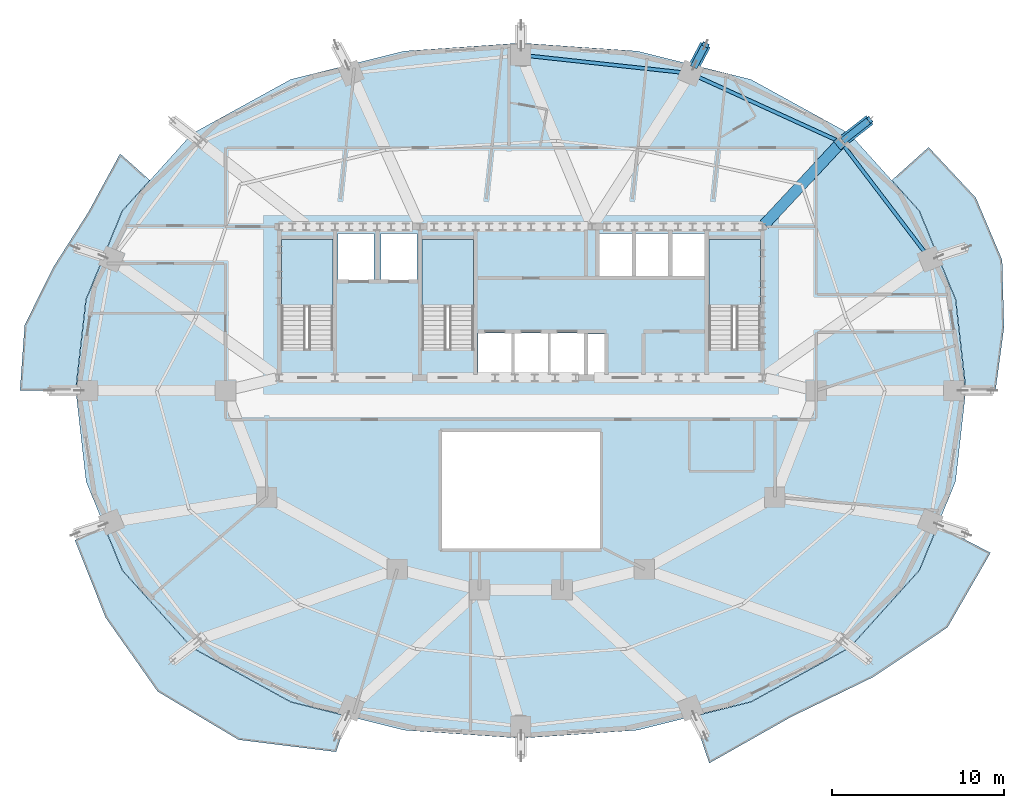
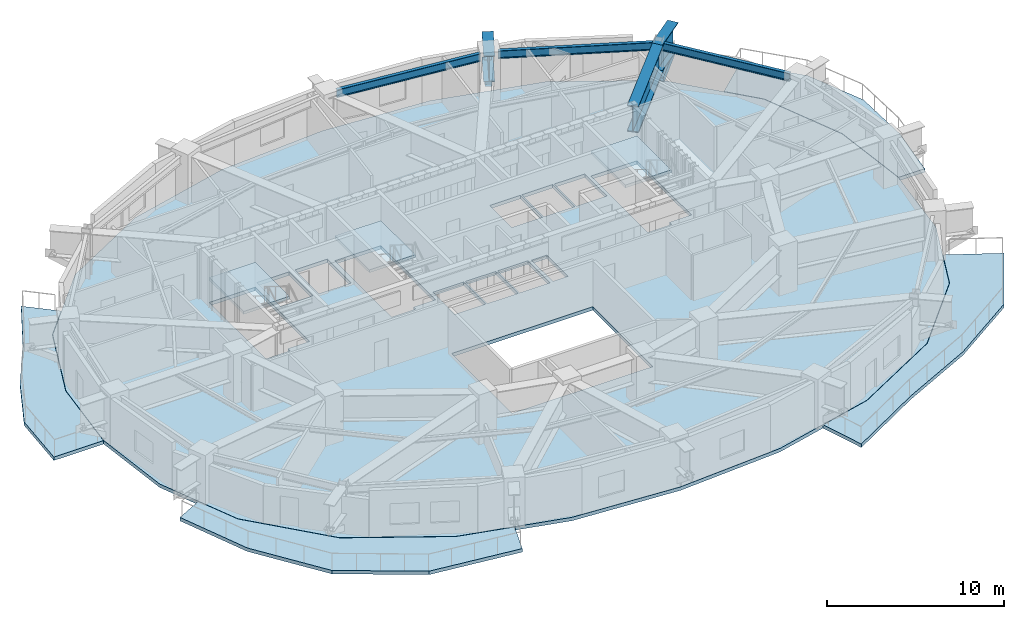
# One storey, part 3 of 14: 8 slabs, 6 beams, 2 members, 3 elements without a shape of their own.
"""IFC4 building model written with IfcOpenShell, lengths in metres."""

from ifc_helpers import new_model, si_unit, direction, frame, origin, origin_2d, place, context, subcontext, project, spatial, polyline, hollow_rectangle, i_section, outline, extrude, material, layer, layer_set, material_profile, profile_set, type_object, element, aggregate, save


model = new_model("IFC4")

# Units and contexts
model_context = context("Model", 3, precision=1e-05, world=origin(), true_north=direction((0.0, 1.0)))
body_context = subcontext(model_context, "Body", "Model", "MODEL_VIEW")
ifc_project = project(units=[si_unit("LENGTHUNIT", "METRE"), si_unit("AREAUNIT", "SQUARE_METRE"), si_unit("VOLUMEUNIT", "CUBIC_METRE"), si_unit("PLANEANGLEUNIT", "RADIAN"), si_unit("MASSUNIT", "GRAM", prefix="KILO")], contexts=[model_context])

# Site, building, storey
site_placement = place(None, origin())
site = spatial("IfcSite", under=ifc_project, at=site_placement, CompositionType="ELEMENT")
building_placement = place(site_placement, origin())
building = spatial("IfcBuilding", under=site, at=building_placement, Name="Haldorwick Loom Tower", CompositionType="ELEMENT")
storey_placement = place(building_placement, frame((0.0, 0.0, 182.050048828125)))
storey = spatial("IfcBuildingStorey", under=building, at=storey_placement, Name="L49", CompositionType="ELEMENT", Elevation=182.050048828125)

# Beams
ifc_material_1 = material(Name="Steel CSA G40.21 350W", Category="steel")
ifc_material_profile_1 = material_profile(ifc_material_1, i_section(OverallWidth=0.2119140625, OverallDepth=0.5439453125, WebThickness=0.01318359375, FlangeThickness=0.021240234375, at=origin_2d()), Name="W530X123", Category="steel")
ifc_profile_set_1 = profile_set([ifc_material_profile_1], Name="Steel CSA G40.21 350W")
beam_type_1 = type_object("IfcBeamType", Name="STR-BM-SP530", PredefinedType="SPANDREL", material=ifc_profile_set_1)
beam_1_placement = place(storey_placement, frame((59.521240234375, 34.067626953125, 2.89794921875), z_axis=(-0.605421569293, 0.79590497136, 0.0), x_axis=(-0.79590497136, -0.605421569293, 0.0)))
element("IfcBeam", 1, at=beam_1_placement, inside=storey, type_object=beam_type_1, Name="L49 Perimeter Spandrel 2", PredefinedType="SPANDREL", context=body_context, shape_type="SweptSolid", body=[
    extrude(i_section(OverallWidth=0.2119140625, OverallDepth=0.5439453125, WebThickness=0.01318359375, FlangeThickness=0.021240234375, at=origin_2d()), origin(), (0.0, 0.0, 1.0), 7.81201171875),
])
beam_2_placement = place(storey_placement, frame((54.450927734375, 40.5576171875, 2.89794921875), z_axis=(-0.909523899848, 0.415651627695, 0.0), x_axis=(-0.415651627695, -0.909523899848, 0.0)))
element("IfcBeam", 2, at=beam_2_placement, inside=storey, type_object=beam_type_1, Name="L49 Perimeter Spandrel 3", PredefinedType="SPANDREL", context=body_context, shape_type="SweptSolid", body=[
    extrude(i_section(OverallWidth=0.2119140625, OverallDepth=0.5439453125, WebThickness=0.01318359375, FlangeThickness=0.021240234375, at=origin_2d()), origin(), (0.0, 0.0, 1.0), 8.910888671875),
])
beam_3_placement = place(storey_placement, frame((45.356201171875, 44.533447265625, 2.89794921875), z_axis=(-0.994210140187, 0.107453232386, 0.0), x_axis=(-0.107453232386, -0.994210140187, 0.0)))
element("IfcBeam", 3, at=beam_3_placement, inside=storey, type_object=beam_type_1, Name="L49 Perimeter Spandrel 4", PredefinedType="SPANDREL", context=body_context, shape_type="SweptSolid", body=[
    extrude(i_section(OverallWidth=0.2119140625, OverallDepth=0.5439453125, WebThickness=0.01318359375, FlangeThickness=0.021240234375, at=origin_2d()), origin(), (0.0, 0.0, 1.0), 8.890625),
])
ifc_material_2 = material(Name="Steel CSA G40.21 350WT", Category="steel")
ifc_material_profile_2 = material_profile(ifc_material_2, i_section(OverallWidth=0.64990234375, OverallDepth=1.800048828125, WebThickness=0.02587890625, FlangeThickness=0.048095703125, at=origin_2d()), Name="WWF1800X650", Category="steel")
ifc_profile_set_2 = profile_set([ifc_material_profile_2], Name="Steel CSA G40.21 350WT")
beam_type_2 = type_object("IfcBeamType", Name="STR-BM-TG1800", PredefinedType="BEAM", material=ifc_profile_set_2)
beam_4_placement = place(storey_placement, frame((50.19140625, 35.68017578125, 2.27001953125), z_axis=(0.682245130121, 0.731123506958, 0.0), x_axis=(-0.731123506958, 0.682245130121, 0.0)))
element("IfcBeam", 4, at=beam_4_placement, inside=storey, type_object=beam_type_2, Name="L49 Waist Flare Inner Transfer Girder 3", PredefinedType="BEAM", context=body_context, shape_type="SweptSolid", body=[
    extrude(i_section(OverallWidth=0.64990234375, OverallDepth=1.800048828125, WebThickness=0.02587890625, FlangeThickness=0.048095703125, at=origin_2d()), origin(), (0.0, 0.0, 1.0), 6.543212890625),
])
for number, where, z_axis, x_axis, name in (
    (5, (54.411865234375, 40.2734375, 2.27001953125), (0.787507129874, 0.61630554143, 0.0), (-0.61630554143, 0.787507129874, 0.0), "L49 Waist Flare Cantilever Transfer Girder 3"),
    (6, (45.621337890625, 44.001708984375, 2.27001953125), (0.46779501444, 0.883836989758, 0.0), (-0.883836989758, 0.46779501444, 0.0), "L49 Waist Flare Cantilever Transfer Girder 4"),
):
    element("IfcBeam", number, at=place(storey_placement, frame(where, z_axis=z_axis, x_axis=x_axis)), inside=storey, type_object=beam_type_2, Name=name, PredefinedType="BEAM", context=body_context, shape_type="SweptSolid", body=[
        extrude(i_section(OverallWidth=0.64990234375, OverallDepth=1.800048828125, WebThickness=0.02587890625, FlangeThickness=0.048095703125, at=origin_2d()), origin(), (0.0, 0.0, 1.0), 2.419921875),
    ])

# Members
ifc_material_profile_3 = material_profile(ifc_material_1, hollow_rectangle(XDim=0.406494140625, YDim=0.406494140625, WallThickness=0.015869140625, at=origin_2d()), Name="HSS406X406X16", Category="steel")
ifc_profile_set_3 = profile_set([ifc_material_profile_3], Name="Steel CSA G40.21 350W")
member_type = type_object("IfcMemberType", Name="STR-MEM-CH406", PredefinedType="CHORD", material=ifc_profile_set_3)
member_1_placement = place(storey_placement, frame((54.832763671875, 40.602783203125, 0.39990234375), z_axis=(0.697234348455, 0.545681601224, 0.464861111967), x_axis=(-0.61632222652, 0.787494071785, 0.0)))
element("IfcMember", 7, at=member_1_placement, inside=storey, type_object=member_type, Name="L49 Waist Flare Diagonal Strut 3", PredefinedType="CHORD", context=body_context, shape_type="SweptSolid", body=[
    extrude(hollow_rectangle(XDim=0.406494140625, YDim=0.406494140625, WallThickness=0.015869140625, at=origin_2d()), origin(), (0.0, 0.0, 1.0), 2.129638671875),
])
member_2_placement = place(storey_placement, frame((46.116455078125, 44.937255859375, 0.39990234375), z_axis=(0.378374530689, 0.714836359435, 0.588083067054), x_axis=(-0.883822806797, 0.467821810293, 0.0)))
element("IfcMember", 8, at=member_2_placement, inside=storey, type_object=member_type, Name="L49 Waist Flare Diagonal Strut 4", PredefinedType="CHORD", context=body_context, shape_type="SweptSolid", body=[
    extrude(hollow_rectangle(XDim=0.406494140625, YDim=0.406494140625, WallThickness=0.015869140625, at=origin_2d()), origin(), (0.0, 0.0, 1.0), 1.683349609375),
])

# Slabs
ifc_material_3 = material(Name="Concrete C40 (40 MPa)", Category="concrete")
ifc_layer_1 = layer(ifc_material_3, 0.239990234375, Name="Concrete C40 (40 MPa)", Category="concrete")
ifc_layer_set_1 = layer_set([ifc_layer_1], Name="Concrete C40 (40 MPa)")
slab_type_1 = type_object("IfcSlabType", Name="STR-SLB-BAL240", PredefinedType="FLOOR", material=ifc_layer_set_1)
slab_1_placement = place(storey_placement, frame((0.0, 0.0, -0.239990234375)))
element("IfcSlab", 9, at=slab_1_placement, inside=storey, type_object=slab_type_1, Name="L49 Sinusoidal Balcony Terrace BAL_SE", PredefinedType="FLOOR", context=body_context, shape_type="SweptSolid", body=[
    extrude(outline(polyline([(60.2841796875, 18.141357421875), (59.216064453125, 15.530517578125), (59.21533203125, 15.529296875), (59.21484375, 15.528076171875), (59.214111328125, 15.527099609375), (59.213134765625, 15.526123046875), (55.16162109375, 11.031005859375), (55.16064453125, 11.02978515625), (55.1591796875, 11.028564453125), (55.15771484375, 11.02783203125), (49.40283203125, 7.863037109375), (49.40185546875, 7.8623046875), (49.400634765625, 7.86181640625), (49.3994140625, 7.861572265625), (46.0595703125, 7.02783203125), (46.9736328125, 4.302490234375), (51.74560546875, 7.0), (56.504150390625, 9.30810546875), (60.846435546875, 12.208251953125), (63.35400390625, 16.555908203125), (60.2841796875, 18.141357421875)])), origin(), (0.0, 0.0, 1.0), 0.239990234375),
])
slab_2_placement = place(storey_placement, frame((0.0, 0.0, -0.239990234375)))
element("IfcSlab", 10, at=slab_2_placement, inside=storey, type_object=slab_type_1, Name="L49 Sinusoidal Balcony Terrace BAL_SW", PredefinedType="FLOOR", context=body_context, shape_type="SweptSolid", body=[
    extrude(outline(polyline([(25.939697265625, 7.02783203125), (22.6005859375, 7.861572265625), (22.599365234375, 7.86181640625), (22.59814453125, 7.8623046875), (22.596923828125, 7.863037109375), (16.84228515625, 11.02783203125), (16.8408203125, 11.028564453125), (16.83935546875, 11.02978515625), (16.83837890625, 11.031005859375), (12.786865234375, 15.526123046875), (12.785888671875, 15.527099609375), (12.78515625, 15.528076171875), (12.78466796875, 15.529296875), (12.783935546875, 15.530517578125), (11.715087890625, 18.142822265625), (10.030517578125, 17.2900390625), (11.82080078125, 12.77880859375), (14.848876953125, 8.4794921875), (19.559326171875, 5.66796875), (25.2392578125, 4.96044921875), (25.939697265625, 7.02783203125)])), origin(), (0.0, 0.0, 1.0), 0.239990234375),
])
slab_3_placement = place(storey_placement, frame((0.0, 0.0, -0.239990234375)))
element("IfcSlab", 11, at=slab_3_placement, inside=storey, type_object=slab_type_1, Name="L49 Sinusoidal Balcony Terrace BAL_WNW", PredefinedType="FLOOR", context=body_context, shape_type="SweptSolid", body=[
    extrude(outline(polyline([(10.068115234375, 26.0), (10.068115234375, 26.001708984375), (10.669677734375, 31.30029296875), (10.669921875, 31.3017578125), (10.670166015625, 31.302978515625), (10.670654296875, 31.30419921875), (12.783935546875, 36.469482421875), (12.78466796875, 36.470703125), (12.78515625, 36.4716796875), (12.785888671875, 36.472900390625), (12.786865234375, 36.473876953125), (14.389892578125, 38.25244140625), (12.66259765625, 39.794677734375), (10.810791015625, 36.3857421875), (8.81103515625, 33.25048828125), (7.10693359375, 29.826416015625), (6.8330078125, 26.0), (10.068115234375, 26.0)])), origin(), (0.0, 0.0, 1.0), 0.239990234375),
])
slab_4_placement = place(storey_placement, frame((0.0, 0.0, -0.239990234375)))
element("IfcSlab", 12, at=slab_4_placement, inside=storey, type_object=slab_type_1, Name="L49 Sinusoidal Balcony Terrace BAL_ENE", PredefinedType="FLOOR", context=body_context, shape_type="SweptSolid", body=[
    extrude(outline(polyline([(57.60986328125, 38.2529296875), (59.213134765625, 36.473876953125), (59.214111328125, 36.472900390625), (59.21484375, 36.4716796875), (59.21533203125, 36.470703125), (59.216064453125, 36.469482421875), (61.329345703125, 31.30419921875), (61.329833984375, 31.302978515625), (61.330078125, 31.3017578125), (61.330322265625, 31.30029296875), (61.931884765625, 26.001708984375), (61.931884765625, 26.0), (63.6435546875, 26.0), (64.139892578125, 29.673583984375), (64.032470703125, 33.601318359375), (62.494384765625, 37.237060546875), (59.746337890625, 40.1748046875), (57.60986328125, 38.2529296875)])), origin(), (0.0, 0.0, 1.0), 0.239990234375),
])

# Stair, slab
stair_type = type_object("IfcStairType", Name="STR-STR-CORE", PredefinedType="HALF_TURN_STAIR", material=ifc_material_3)
stair_1_placement = place(storey_placement, origin())
stair_1 = element("IfcStair", 13, at=stair_1_placement, inside=storey, type_object=stair_type, Name="L49 Exit Stair ST-01", PredefinedType="HALF_TURN_STAIR")
ifc_layer_2 = layer(ifc_material_3, 0.199951171875, Name="Concrete C40 (40 MPa)", Category="concrete")
ifc_layer_set_2 = layer_set([ifc_layer_2], Name="Concrete C40 (40 MPa)")
slab_type_2 = type_object("IfcSlabType", Name="STR-SLB-LAND200", PredefinedType="LANDING", material=ifc_layer_set_2)
slab_5_placement = place(storey_placement, frame((0.0, 0.0, 1.52490234375)))
slab_5 = element("IfcSlab", 14, at=slab_5_placement, type_object=slab_type_2, Name="ST-01 landing 1", PredefinedType="LANDING", context=body_context, shape_type="SweptSolid", body=[
    extrude(outline(polyline([(25.050048828125, 30.919921875), (25.050048828125, 34.800048828125), (22.050048828125, 34.800048828125), (22.050048828125, 30.919921875), (25.050048828125, 30.919921875)])), origin(), (0.0, 0.0, 1.0), 0.199951171875),
])
aggregate(stair_1, [slab_5])

stair_2_placement = place(storey_placement, origin())
stair_2 = element("IfcStair", 15, at=stair_2_placement, inside=storey, type_object=stair_type, Name="L49 Exit Stair ST-02", PredefinedType="HALF_TURN_STAIR")
slab_6_placement = place(storey_placement, frame((0.0, 0.0, 1.52490234375)))
slab_6 = element("IfcSlab", 16, at=slab_6_placement, type_object=slab_type_2, Name="ST-02 landing 1", PredefinedType="LANDING", context=body_context, shape_type="SweptSolid", body=[
    extrude(outline(polyline([(49.949951171875, 30.919921875), (49.949951171875, 34.800048828125), (46.949951171875, 34.800048828125), (46.949951171875, 30.919921875), (49.949951171875, 30.919921875)])), origin(), (0.0, 0.0, 1.0), 0.199951171875),
])
aggregate(stair_2, [slab_6])

stair_3_placement = place(storey_placement, origin())
stair_3 = element("IfcStair", 17, at=stair_3_placement, inside=storey, type_object=stair_type, Name="L49 Exit Stair ST-03", PredefinedType="HALF_TURN_STAIR")
slab_7_placement = place(storey_placement, frame((0.0, 0.0, 1.52490234375)))
slab_7 = element("IfcSlab", 18, at=slab_7_placement, type_object=slab_type_2, Name="ST-03 landing 1", PredefinedType="LANDING", context=body_context, shape_type="SweptSolid", body=[
    extrude(outline(polyline([(33.25, 30.919921875), (33.25, 34.800048828125), (30.25, 34.800048828125), (30.25, 30.919921875), (33.25, 30.919921875)])), origin(), (0.0, 0.0, 1.0), 0.199951171875),
])
aggregate(stair_3, [slab_7])

# Slab
ifc_layer_3 = layer(ifc_material_3, 0.239990234375, Name="Concrete C40 (40 MPa)", Category="concrete")
ifc_layer_set_3 = layer_set([ifc_layer_3], Name="Concrete C40 (40 MPa)")
slab_type_3 = type_object("IfcSlabType", Name="STR-SLB-RES240", PredefinedType="FLOOR", material=ifc_layer_set_3)
slab_8_placement = place(storey_placement, frame((0.0, 0.0, -0.239990234375)))
element("IfcSlab", 19, at=slab_8_placement, inside=storey, type_object=slab_type_3, Name="L49 Residential Structural Floor Slab", PredefinedType="FLOOR", context=body_context, shape_type="SweptSolid", body=[
    extrude(outline(polyline([(55.150634765625, 11.041015625), (59.2021484375, 15.5361328125), (61.3154296875, 20.701416015625), (61.9169921875, 26.0), (61.3154296875, 31.298583984375), (59.2021484375, 36.4638671875), (55.150634765625, 40.958984375), (49.395751953125, 44.123779296875), (42.783203125, 45.774658203125), (36.0, 46.24462890625), (29.216796875, 45.774658203125), (22.604248046875, 44.123779296875), (16.849365234375, 40.958984375), (12.7978515625, 36.4638671875), (10.6845703125, 31.298583984375), (10.0830078125, 26.0), (10.6845703125, 20.701416015625), (12.7978515625, 15.5361328125), (16.849365234375, 11.041015625), (22.604248046875, 7.876220703125), (29.216796875, 6.225341796875), (36.0, 5.75537109375), (42.783203125, 6.225341796875), (49.395751953125, 7.876220703125), (55.150634765625, 11.041015625)]), holes=[polyline([(31.39990234375, 16.800048828125), (31.39990234375, 23.60009765625), (40.60009765625, 23.60009765625), (40.60009765625, 16.800048828125), (31.39990234375, 16.800048828125)]), polyline([(33.5, 26.85009765625), (33.5, 29.35009765625), (35.5, 29.35009765625), (35.5, 26.85009765625), (33.5, 26.85009765625)]), polyline([(35.60009765625, 26.85009765625), (35.60009765625, 29.35009765625), (37.60009765625, 29.35009765625), (37.60009765625, 26.85009765625), (35.60009765625, 26.85009765625)]), polyline([(23.6201171875, 28.39990234375), (22.050048828125, 28.39990234375), (22.050048828125, 34.800048828125), (25.050048828125, 34.800048828125), (25.050048828125, 28.639892578125), (23.6201171875, 28.639892578125), (23.6201171875, 28.39990234375)]), polyline([(30.25, 28.39990234375), (30.25, 34.800048828125), (33.25, 34.800048828125), (33.25, 28.639892578125), (31.820068359375, 28.639892578125), (31.820068359375, 28.39990234375), (30.25, 28.39990234375)]), polyline([(25.35009765625, 32.449951171875), (25.35009765625, 35.14990234375), (27.449951171875, 35.14990234375), (27.449951171875, 32.449951171875), (25.35009765625, 32.449951171875)]), polyline([(29.949951171875, 32.449951171875), (27.85009765625, 32.449951171875), (27.85009765625, 35.14990234375), (29.949951171875, 35.14990234375), (29.949951171875, 32.449951171875)]), polyline([(37.699951171875, 26.85009765625), (37.699951171875, 29.35009765625), (39.699951171875, 29.35009765625), (39.699951171875, 26.85009765625), (37.699951171875, 26.85009765625)]), polyline([(39.89990234375, 26.89990234375), (39.89990234375, 29.300048828125), (40.89990234375, 29.300048828125), (40.89990234375, 26.89990234375), (39.89990234375, 26.89990234375)]), polyline([(46.949951171875, 28.39990234375), (46.949951171875, 34.800048828125), (49.949951171875, 34.800048828125), (49.949951171875, 28.639892578125), (48.52001953125, 28.639892578125), (48.52001953125, 28.39990234375), (46.949951171875, 28.39990234375)]), polyline([(40.550048828125, 32.64990234375), (40.550048828125, 35.14990234375), (42.550048828125, 35.14990234375), (42.550048828125, 32.64990234375), (40.550048828125, 32.64990234375)]), polyline([(42.64990234375, 32.64990234375), (42.64990234375, 35.14990234375), (44.64990234375, 35.14990234375), (44.64990234375, 32.64990234375), (42.64990234375, 32.64990234375)]), polyline([(44.75, 32.64990234375), (44.75, 35.14990234375), (46.75, 35.14990234375), (46.75, 32.64990234375), (44.75, 32.64990234375)])]), origin(), (0.0, 0.0, 1.0), 0.239990234375),
])

save(model, "model.ifc")
